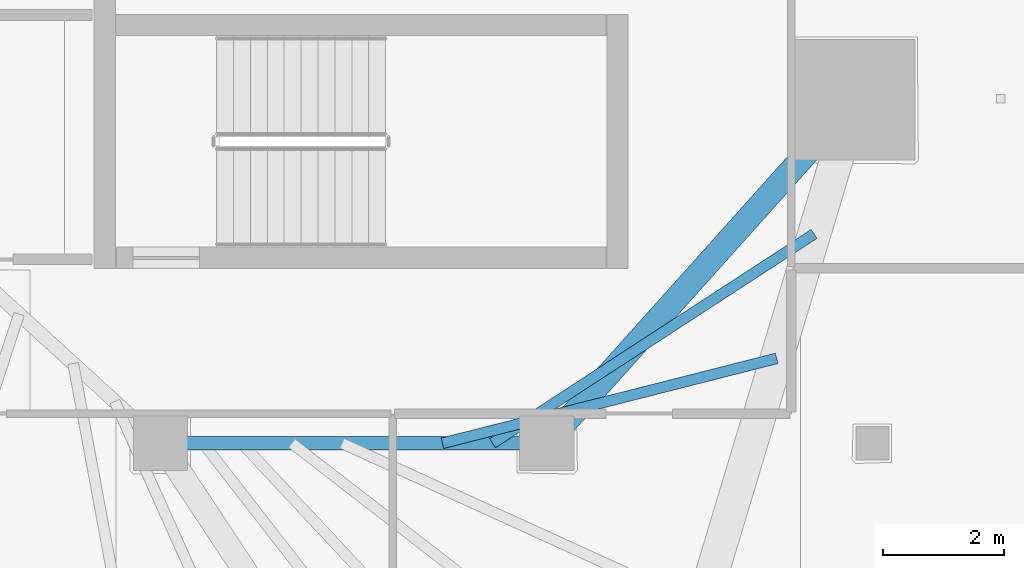
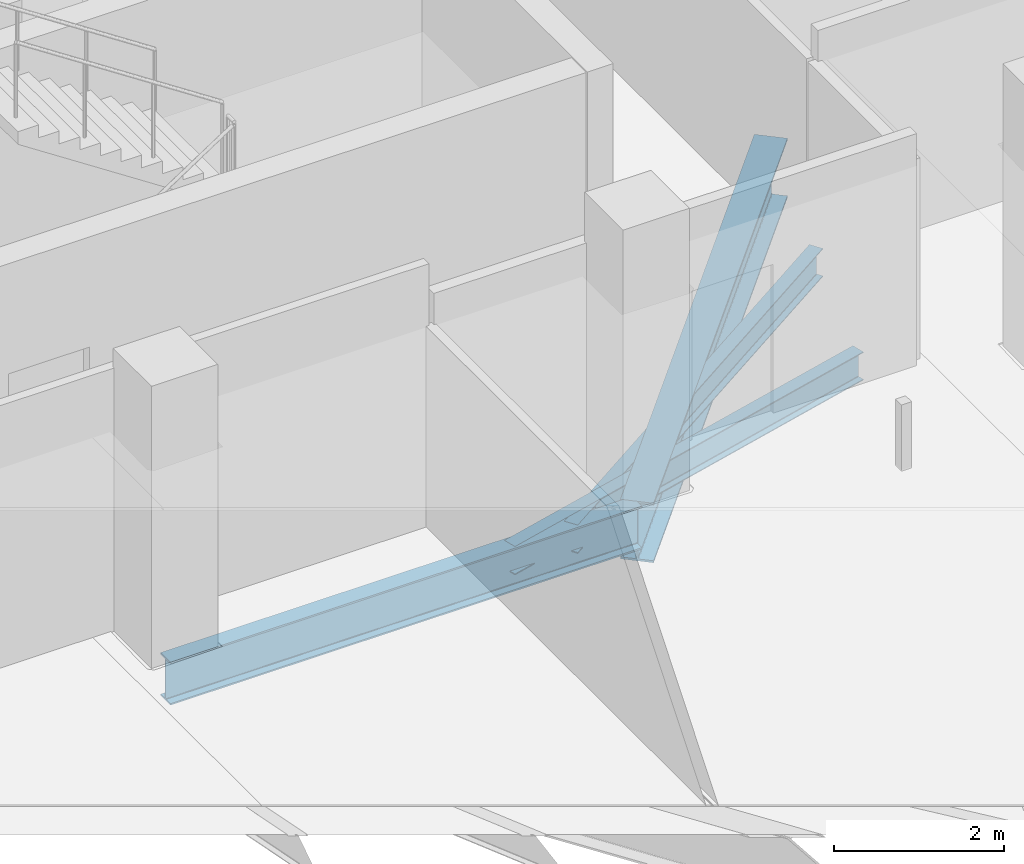
# One storey, part 13 of 37: 4 beams.
"""IFC4 building model written with IfcOpenShell, lengths in metres."""

from ifc_helpers import new_model, si_unit, direction, frame, origin, origin_2d, place, context, subcontext, project, spatial, i_section, extrude, material, material_profile, profile_set, type_object, element, save


model = new_model("IFC4")

# Units and contexts
model_context = context("Model", 3, precision=1e-05, world=origin(), true_north=direction((0.0, 1.0)))
body_context = subcontext(model_context, "Body", "Model", "MODEL_VIEW")
ifc_project = project(units=[si_unit("LENGTHUNIT", "METRE"), si_unit("AREAUNIT", "SQUARE_METRE"), si_unit("VOLUMEUNIT", "CUBIC_METRE"), si_unit("PLANEANGLEUNIT", "RADIAN"), si_unit("MASSUNIT", "GRAM", prefix="KILO")], contexts=[model_context])

# Site, building, storey
site_placement = place(None, origin())
site = spatial("IfcSite", under=ifc_project, at=site_placement, CompositionType="ELEMENT")
building_placement = place(site_placement, origin())
building = spatial("IfcBuilding", under=site, at=building_placement, Name="Qorvath Tower", CompositionType="ELEMENT")
storey_placement = place(building_placement, frame((0.0, 0.0, 196.949951171875)))
storey = spatial("IfcBuildingStorey", under=building, at=storey_placement, Name="L45", CompositionType="ELEMENT", Elevation=196.949951171875)

# Beams
ifc_material_1 = material(Name="Steel ASTM A992 Grade 50", Category="steel")
ifc_material_profile_1 = material_profile(ifc_material_1, i_section(OverallWidth=0.39892578125, OverallDepth=0.85498046875, WebThickness=0.018310546875, FlangeThickness=0.029296875, FilletRadius=0.02001953125, at=origin_2d()), Name="W33x201")
ifc_profile_set_1 = profile_set([ifc_material_profile_1], Name="Steel ASTM A992 Grade 50")
beam_type_1 = type_object("IfcBeamType", Name="BM-FG2", PredefinedType="BEAM", material=ifc_profile_set_1)
beam_1_placement = place(storey_placement, frame((-17.199951171875, -11.449951171875, -0.697509765625), z_axis=(0.667543184261, 0.744571082669, 0.0), x_axis=(-0.744571082669, 0.667543184261, 0.0)))
element("IfcBeam", 1, at=beam_1_placement, inside=storey, type_object=beam_type_1, Name="Radial Floor Girder CC3-MC4 L45", PredefinedType="BEAM", context=body_context, shape_type="SweptSolid", body=[
    extrude(i_section(OverallWidth=0.39892578125, OverallDepth=0.85498046875, WebThickness=0.018310546875, FlangeThickness=0.029296875, FilletRadius=0.02001953125, at=origin_2d()), origin(), (0.0, 0.0, 1.0), 7.644775390625),
])
ifc_material_2 = material(Name="Steel ASTM A992 Grade 50", Category="steel")
ifc_material_profile_2 = material_profile(ifc_material_2, i_section(OverallWidth=0.22998046875, OverallDepth=0.616943359375, WebThickness=0.01318359375, FlangeThickness=0.022216796875, FilletRadius=0.014892578125, at=origin_2d()), Name="W24x94")
ifc_profile_set_2 = profile_set([ifc_material_profile_2], Name="Steel ASTM A992 Grade 50")
beam_type_2 = type_object("IfcBeamType", Name="BM-FG6", PredefinedType="BEAM", material=ifc_profile_set_2)
beam_2_placement = place(storey_placement, frame((-17.199951171875, -11.449951171875, -0.57861328125), z_axis=(-1.0, 0.0, 0.0), x_axis=(0.0, -1.0, 0.0)))
element("IfcBeam", 2, at=beam_2_placement, inside=storey, type_object=beam_type_2, Name="Core Ring Girder CC3-CC4 L45", PredefinedType="BEAM", context=body_context, shape_type="SweptSolid", body=[
    extrude(i_section(OverallWidth=0.22998046875, OverallDepth=0.616943359375, WebThickness=0.01318359375, FlangeThickness=0.022216796875, FilletRadius=0.014892578125, at=origin_2d()), origin(), (0.0, 0.0, 1.0), 6.400146484375),
])
ifc_material_3 = material(Name="Steel ASTM A992 Grade 50", Category="steel")
ifc_material_profile_3 = material_profile(ifc_material_3, i_section(OverallWidth=0.177978515625, OverallDepth=0.406005859375, WebThickness=0.0078125, FlangeThickness=0.0126953125, FilletRadius=0.010986328125, at=origin_2d()), Name="W16x40")
ifc_profile_set_3 = profile_set([ifc_material_profile_3], Name="Steel ASTM A992 Grade 50")
beam_type_3 = type_object("IfcBeamType", Name="BM-FJ3", PredefinedType="JOIST", material=ifc_profile_set_3)
beam_3_placement = place(storey_placement, frame((-18.095947265625, -11.449951171875, -0.47314453125), z_axis=(0.838041756057, 0.545606098853, 0.0), x_axis=(-0.545606098853, 0.838041756057, 0.0)))
element("IfcBeam", 3, at=beam_3_placement, inside=storey, type_object=beam_type_3, Name="Composite Floor Joist SE1 L45", PredefinedType="JOIST", context=body_context, shape_type="SweptSolid", body=[
    extrude(i_section(OverallWidth=0.177978515625, OverallDepth=0.406005859375, WebThickness=0.0078125, FlangeThickness=0.0126953125, FilletRadius=0.010986328125, at=origin_2d()), origin(), (0.0, 0.0, 1.0), 6.36083984375),
])
beam_4_placement = place(storey_placement, frame((-18.927978515625, -11.449951171875, -0.47314453125), z_axis=(0.969231577698, 0.246150662794, 0.0), x_axis=(-0.246150662794, 0.969231577698, 0.0)))
element("IfcBeam", 4, at=beam_4_placement, inside=storey, type_object=beam_type_3, Name="Composite Floor Joist SE2 L45", PredefinedType="JOIST", context=body_context, shape_type="SweptSolid", body=[
    extrude(i_section(OverallWidth=0.177978515625, OverallDepth=0.406005859375, WebThickness=0.0078125, FlangeThickness=0.0126953125, FilletRadius=0.010986328125, at=origin_2d()), origin(), (0.0, 0.0, 1.0), 5.718017578125),
])

save(model, "model.ifc")
